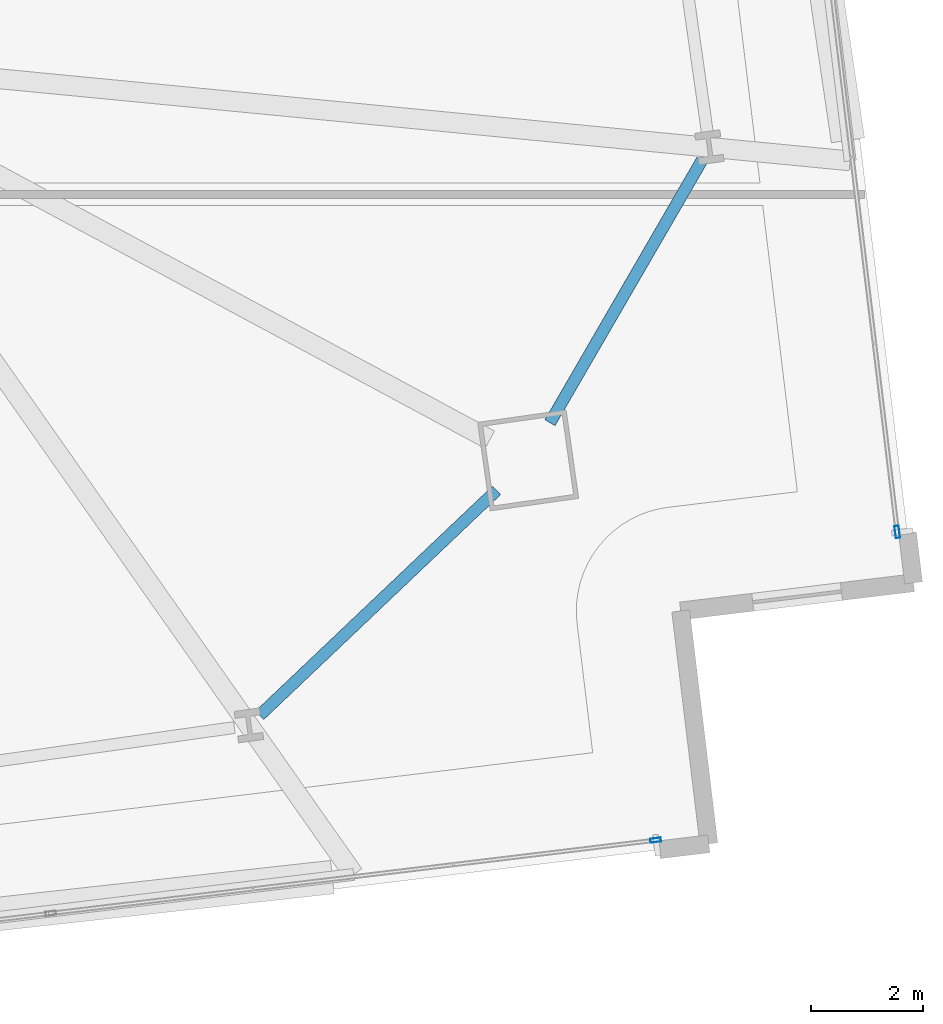
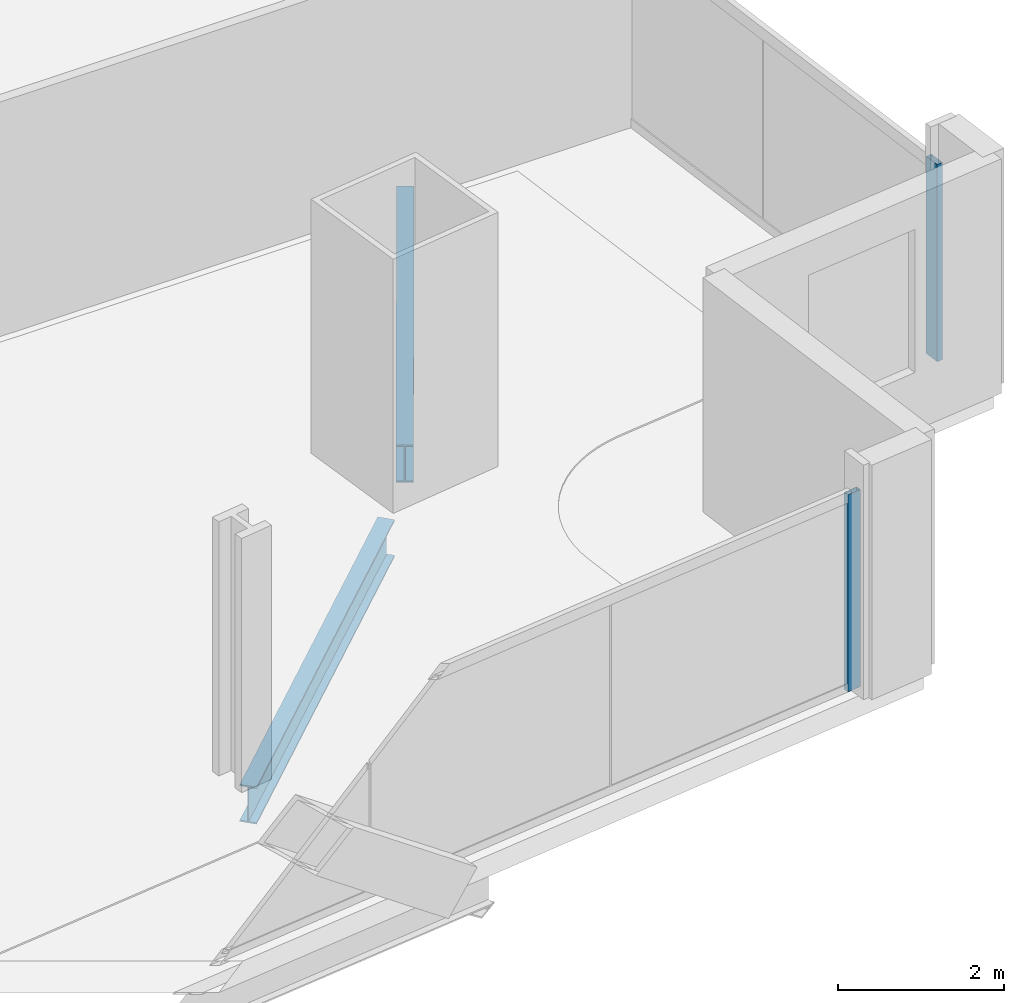
# One storey, part 11 of 33: 2 beams, 2 members, 2 elements without a shape of their own.
"""IFC4 building model written with IfcOpenShell, lengths in metres."""

from ifc_helpers import new_model, si_unit, direction, frame, origin, origin_2d, place, context, subcontext, project, spatial, hollow_rectangle, i_section, extrude, material, material_profile, profile_set, type_object, element, aggregate, save


model = new_model("IFC4")

# Units and contexts
model_context = context("Model", 3, precision=1e-05, world=origin(), true_north=direction((0.0, 1.0)))
body_context = subcontext(model_context, "Body", "Model", "MODEL_VIEW")
ifc_project = project(units=[si_unit("LENGTHUNIT", "METRE"), si_unit("AREAUNIT", "SQUARE_METRE"), si_unit("VOLUMEUNIT", "CUBIC_METRE"), si_unit("PLANEANGLEUNIT", "RADIAN"), si_unit("MASSUNIT", "GRAM", prefix="KILO")], contexts=[model_context])

# Site, building, storey
site_placement = place(None, origin())
site = spatial("IfcSite", under=ifc_project, at=site_placement, CompositionType="ELEMENT")
building_placement = place(site_placement, origin())
building = spatial("IfcBuilding", under=site, at=building_placement, Name="Haldenkirk Collegiate Tower", CompositionType="ELEMENT")
storey_placement = place(building_placement, frame((0.0, 0.0, 51.449951171875)))
storey = spatial("IfcBuildingStorey", under=building, at=storey_placement, Name="L11", CompositionType="ELEMENT", Elevation=51.449951171875)

# Beams
ifc_material_1 = material(Name="Steel ASTM A992 Grade 50", Category="steel")
ifc_material_profile_1 = material_profile(ifc_material_1, i_section(OverallWidth=0.2119140625, OverallDepth=0.5439453125, WebThickness=0.01318359375, FlangeThickness=0.021240234375, at=origin_2d()), Name="W21X83")
ifc_profile_set_1 = profile_set([ifc_material_profile_1], Name="Steel ASTM A992 Grade 50")
beam_type = type_object("IfcBeamType", Name="BM-SPANDREL-W21X83", PredefinedType="SPANDREL", material=ifc_profile_set_1)
beam_1_placement = place(storey_placement, frame((53.594482421875, 6.222412109375, -0.58203125), z_axis=(0.725113023209, 0.688629874151, 0.0), x_axis=(-0.688629874151, 0.725113023209, 0.0)))
element("IfcBeam", 1, at=beam_1_placement, inside=storey, type_object=beam_type, Name="L11 perimeter spandrel beam 04", PredefinedType="SPANDREL", context=body_context, shape_type="SweptSolid", body=[
    extrude(i_section(OverallWidth=0.2119140625, OverallDepth=0.5439453125, WebThickness=0.01318359375, FlangeThickness=0.021240234375, at=origin_2d()), origin(), (0.0, 0.0, 1.0), 5.8486328125),
])
beam_2_placement = place(storey_placement, frame((58.7919921875, 11.462158203125, -0.58203125), z_axis=(0.50120629055, 0.865327830543, 0.0), x_axis=(-0.865327830543, 0.50120629055, 0.0)))
element("IfcBeam", 2, at=beam_2_placement, inside=storey, type_object=beam_type, Name="L11 perimeter spandrel beam 05", PredefinedType="SPANDREL", context=body_context, shape_type="SweptSolid", body=[
    extrude(i_section(OverallWidth=0.2119140625, OverallDepth=0.5439453125, WebThickness=0.01318359375, FlangeThickness=0.021240234375, at=origin_2d()), origin(), (0.0, 0.0, 1.0), 5.43359375),
])

# Curtain wall, member
ifc_material_2 = material(Name="Anodised architectural bronze aluminium", Category="aluminium")
curtain_wall_type_1 = type_object("IfcCurtainWallType", Name="CW-SYS2-CONCAVE", PredefinedType="USERDEFINED", material=ifc_material_2)
curtain_wall_1_placement = place(storey_placement, origin())
curtain_wall_1 = element("IfcCurtainWall", 3, at=curtain_wall_1_placement, inside=storey, type_object=curtain_wall_type_1, Name="L11 South concave recessed bronze-anodised curtain wall", ObjectType="UNITISED CURTAIN WALL", PredefinedType="USERDEFINED")
ifc_material_profile_2 = material_profile(ifc_material_2, hollow_rectangle(XDim=0.074951171875, YDim=0.18994140625, WallThickness=0.0048828125, at=origin_2d()), Name="CW-MUL-02")
ifc_profile_set_2 = profile_set([ifc_material_profile_2], Name="Anodised architectural bronze aluminium")
member_type_1 = type_object("IfcMemberType", Name="CW-MUL-02", PredefinedType="MULLION", material=ifc_profile_set_2)
member_1_placement = place(storey_placement, frame((60.68603515625, 3.986328125, 0.0), z_axis=(0.0, 0.0, 1.0), x_axis=(0.120139429238, -0.992757028453, 0.0)))
member_1 = element("IfcMember", 4, at=member_1_placement, type_object=member_type_1, Name="CW-02 mullion 1", PredefinedType="MULLION", context=body_context, shape_type="SweptSolid", body=[
    extrude(hollow_rectangle(XDim=0.074951171875, YDim=0.18994140625, WallThickness=0.0048828125, at=origin_2d()), origin(), (0.0, 0.0, 1.0), 2.89111328125),
])
aggregate(curtain_wall_1, [member_1])

curtain_wall_type_2 = type_object("IfcCurtainWallType", Name="CW-SYS1-CONVEX-LOW", PredefinedType="USERDEFINED", material=ifc_material_2)
curtain_wall_2_placement = place(storey_placement, origin())
curtain_wall_2 = element("IfcCurtainWall", 5, at=curtain_wall_2_placement, inside=storey, type_object=curtain_wall_type_2, Name="L11 Lower tower convex bronze-framed unitised curtain wall", ObjectType="UNITISED CURTAIN WALL", PredefinedType="USERDEFINED")
ifc_material_profile_3 = material_profile(ifc_material_2, hollow_rectangle(XDim=0.080078125, YDim=0.219970703125, WallThickness=0.0048828125, at=origin_2d()), Name="CW-MUL-1A")
ifc_profile_set_3 = profile_set([ifc_material_profile_3], Name="Anodised architectural bronze aluminium")
member_type_2 = type_object("IfcMemberType", Name="CW-MUL-1A", PredefinedType="MULLION", material=ifc_profile_set_3)
member_2_placement = place(storey_placement, frame((65.01171875, 9.505859375, 0.0), z_axis=(0.0, 0.0, 1.0), x_axis=(0.992757292466, 0.120137247576, 0.0)))
member_2 = element("IfcMember", 6, at=member_2_placement, type_object=member_type_2, Name="CW-1A mullion 5", PredefinedType="MULLION", context=body_context, shape_type="SweptSolid", body=[
    extrude(hollow_rectangle(XDim=0.080078125, YDim=0.219970703125, WallThickness=0.0048828125, at=origin_2d()), origin(), (0.0, 0.0, 1.0), 2.89111328125),
])
aggregate(curtain_wall_2, [member_2])

save(model, "model.ifc")
